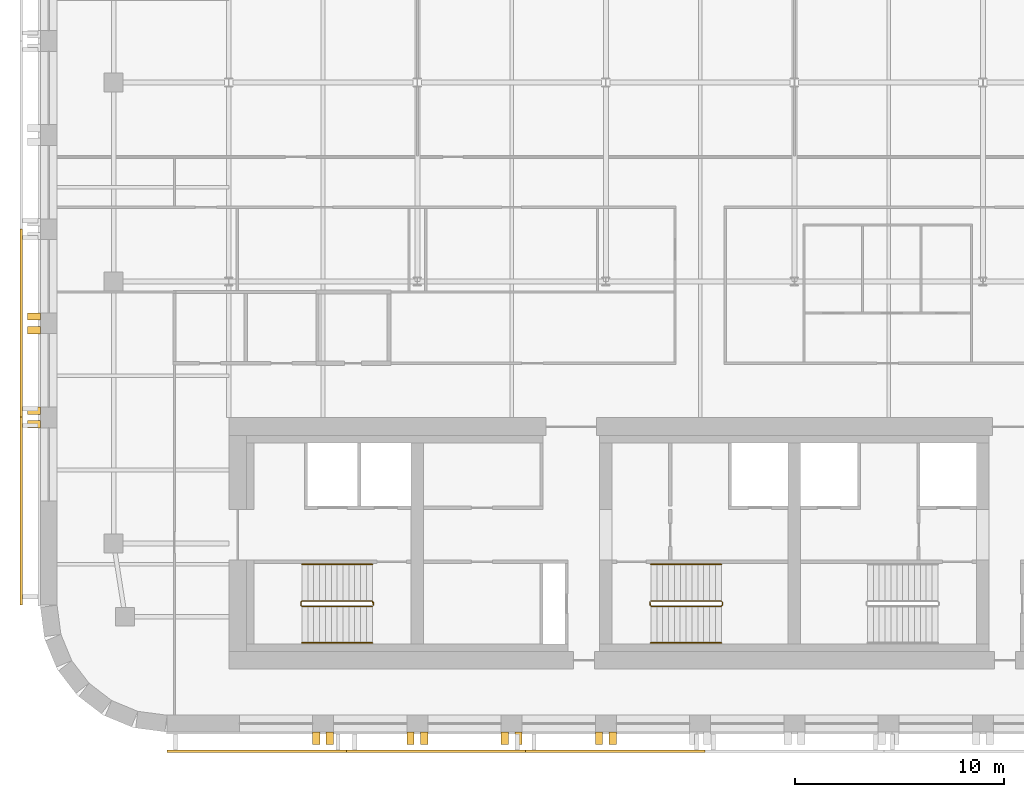
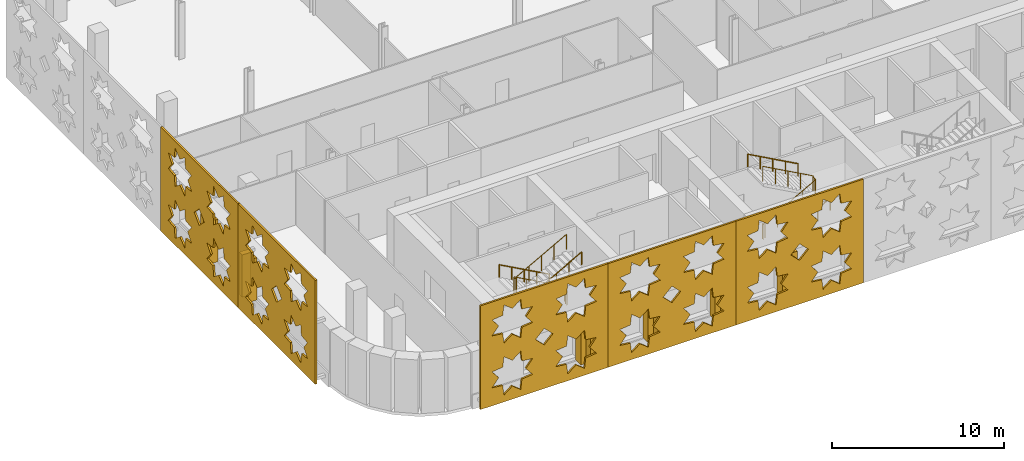
# One storey, part 9 of 12: 17 coverings, 6 railings.
"""IFC4 building model written with IfcOpenShell, lengths in metres."""

from ifc_helpers import new_model, si_unit, direction, frame, origin, origin_2d, place, context, subcontext, project, spatial, polyline, circle, outline, extrude, material, layer, layer_set, type_object, element, save


model = new_model("IFC4")

# Units and contexts
model_context = context("Model", 3, precision=1e-05, world=origin(), true_north=direction((0.0, 1.0)))
body_context = subcontext(model_context, "Body", "Model", "MODEL_VIEW")
ifc_project = project(units=[si_unit("LENGTHUNIT", "METRE"), si_unit("AREAUNIT", "SQUARE_METRE"), si_unit("VOLUMEUNIT", "CUBIC_METRE"), si_unit("PLANEANGLEUNIT", "RADIAN"), si_unit("MASSUNIT", "GRAM", prefix="KILO")], contexts=[model_context])

# Site, building, storey
site_placement = place(None, origin())
site = spatial("IfcSite", under=ifc_project, at=site_placement, CompositionType="ELEMENT")
building_placement = place(site_placement, origin())
building = spatial("IfcBuilding", under=site, at=building_placement, Name="Zellij Exchange Tower", CompositionType="ELEMENT")
storey_placement = place(building_placement, frame((0.0, 0.0, 196.5)))
storey = spatial("IfcBuildingStorey", under=building, at=storey_placement, Name="L45", CompositionType="ELEMENT", Elevation=196.5)

# Railings
ifc_material_1 = material(Name="Stainless steel", Category="steel")
railing_type_1 = type_object("IfcRailingType", Name="CORE-RG stair guard", PredefinedType="GUARDRAIL", material=ifc_material_1)
railing_1_placement = place(storey_placement, frame((-20.10009765625, -10.800048828125, 0.0)))
element("IfcRailing", 1, at=railing_1_placement, inside=storey, type_object=railing_type_1, Name="ST1 stair guard L45", PredefinedType="GUARDRAIL", context=body_context, shape_type="SweptSolid", body=[
    extrude(circle(Radius=0.02392578125, at=origin_2d()), frame((0.0, 0.0, 1.076171875), z_axis=(0.0, -1.0, 0.0), x_axis=(1.0, 0.0, 0.0)), (0.0, 0.0, 1.0), 0.14990234375),
    extrude(circle(Radius=0.02392578125, at=origin_2d()), frame((0.0, -0.14990234375, 1.076171875), z_axis=(-0.193691321961, 0.777613689637, 0.598164376644), x_axis=(-0.970351222016, -0.241699205484, 0.0)), (0.0, 0.0, 1.0), 0.257080078125),
    extrude(circle(Radius=0.02392578125, at=origin_2d()), frame((-0.0498046875, 0.050048828125, 1.22998046875), z_axis=(-0.876421534553, 0.0, 0.481544695509), x_axis=(0.0, -1.0, 0.0)), (0.0, 0.0, 1.0), 3.833984375),
    extrude(circle(Radius=0.02392578125, at=origin_2d()), frame((-3.409912109375, 0.050048828125, 3.076171875), z_axis=(-0.707106781187, -0.707106781187, 0.0), x_axis=(0.707106781187, -0.707106781187, 0.0)), (0.0, 0.0, 1.0), 0.07080078125),
    extrude(circle(Radius=0.02392578125, at=origin_2d()), frame((-3.4599609375, 0.0, 3.076171875), z_axis=(0.0, -1.0, 0.0), x_axis=(1.0, 0.0, 0.0)), (0.0, 0.0, 1.0), 0.14990234375),
    extrude(circle(Radius=0.02392578125, at=origin_2d()), frame((-3.4599609375, -0.14990234375, 3.076171875), z_axis=(0.295599637079, -0.295599637079, 0.908428152975), x_axis=(0.707106781187, 0.707106781187, 0.0)), (0.0, 0.0, 1.0), 0.16943359375),
    extrude(circle(Radius=0.02392578125, at=origin_2d()), frame((-3.409912109375, -0.199951171875, 3.22998046875), z_axis=(0.876421534553, 0.0, 0.481544695509), x_axis=(0.0, 1.0, 0.0)), (0.0, 0.0, 1.0), 3.833984375),
    extrude(circle(Radius=0.02099609375, at=origin_2d()), origin(), (0.0, 0.0, 1.0), 1.052001953125),
    extrude(circle(Radius=0.02099609375, at=origin_2d()), frame((0.0, -0.14990234375, 0.0)), (0.0, 0.0, 1.0), 1.052001953125),
    extrude(circle(Radius=0.02099609375, at=origin_2d()), frame((-0.0498046875, 0.050048828125, 0.15380859375)), (0.0, 0.0, 1.0), 1.052001953125),
    extrude(circle(Radius=0.02099609375, at=origin_2d()), frame((-0.889892578125, 0.050048828125, 0.615234375)), (0.0, 0.0, 1.0), 1.052001953125),
    extrude(circle(Radius=0.02099609375, at=origin_2d()), frame((-1.72998046875, 0.050048828125, 1.076904296875)), (0.0, 0.0, 1.0), 1.052001953125),
    extrude(circle(Radius=0.02099609375, at=origin_2d()), frame((-2.56982421875, 0.050048828125, 1.53857421875)), (0.0, 0.0, 1.0), 1.052001953125),
    extrude(circle(Radius=0.02099609375, at=origin_2d()), frame((-3.409912109375, 0.050048828125, 2.0)), (0.0, 0.0, 1.0), 1.052001953125),
    extrude(circle(Radius=0.02099609375, at=origin_2d()), frame((-3.4599609375, 0.0, 2.0)), (0.0, 0.0, 1.0), 1.052001953125),
    extrude(circle(Radius=0.02099609375, at=origin_2d()), frame((-3.4599609375, -0.14990234375, 2.0)), (0.0, 0.0, 1.0), 1.052001953125),
    extrude(circle(Radius=0.02099609375, at=origin_2d()), frame((-3.409912109375, -0.199951171875, 2.15380859375)), (0.0, 0.0, 1.0), 1.052001953125),
    extrude(circle(Radius=0.02099609375, at=origin_2d()), frame((-2.56982421875, -0.199951171875, 2.615234375)), (0.0, 0.0, 1.0), 1.052001953125),
    extrude(circle(Radius=0.02099609375, at=origin_2d()), frame((-1.72998046875, -0.199951171875, 3.076904296875)), (0.0, 0.0, 1.0), 1.052001953125),
    extrude(circle(Radius=0.02099609375, at=origin_2d()), frame((-0.889892578125, -0.199951171875, 3.53857421875)), (0.0, 0.0, 1.0), 1.052001953125),
    extrude(circle(Radius=0.02099609375, at=origin_2d()), frame((-0.0498046875, -0.199951171875, 4.0)), (0.0, 0.0, 1.0), 1.052001953125),
])
railing_2_placement = place(storey_placement, frame((-6.89990234375, -10.949951171875, 0.0)))
element("IfcRailing", 2, at=railing_2_placement, inside=storey, type_object=railing_type_1, Name="ST2 stair guard L45", PredefinedType="GUARDRAIL", context=body_context, shape_type="SweptSolid", body=[
    extrude(circle(Radius=0.02392578125, at=origin_2d()), frame((0.0, 0.0, 1.076171875), z_axis=(0.0, 1.0, 0.0), x_axis=(-1.0, 0.0, 0.0)), (0.0, 0.0, 1.0), 0.14990234375),
    extrude(circle(Radius=0.02392578125, at=origin_2d()), frame((0.0, 0.14990234375, 1.076171875), z_axis=(0.193691321961, -0.777613689637, 0.598164376644), x_axis=(0.970351222016, 0.241699205484, 0.0)), (0.0, 0.0, 1.0), 0.257080078125),
    extrude(circle(Radius=0.02392578125, at=origin_2d()), frame((0.0498046875, -0.050048828125, 1.22998046875), z_axis=(0.876421534553, 0.0, 0.481544695509), x_axis=(0.0, 1.0, 0.0)), (0.0, 0.0, 1.0), 3.833984375),
    extrude(circle(Radius=0.02392578125, at=origin_2d()), frame((3.409912109375, -0.050048828125, 3.076171875), z_axis=(0.707106781187, 0.707106781187, 0.0), x_axis=(-0.707106781187, 0.707106781187, 0.0)), (0.0, 0.0, 1.0), 0.07080078125),
    extrude(circle(Radius=0.02392578125, at=origin_2d()), frame((3.4599609375, 0.0, 3.076171875), z_axis=(0.0, 1.0, 0.0), x_axis=(-1.0, 0.0, 0.0)), (0.0, 0.0, 1.0), 0.14990234375),
    extrude(circle(Radius=0.02392578125, at=origin_2d()), frame((3.4599609375, 0.14990234375, 3.076171875), z_axis=(-0.295599637079, 0.295599637079, 0.908428152975), x_axis=(-0.707106781187, -0.707106781187, 0.0)), (0.0, 0.0, 1.0), 0.16943359375),
    extrude(circle(Radius=0.02392578125, at=origin_2d()), frame((3.409912109375, 0.199951171875, 3.22998046875), z_axis=(-0.876421534553, 0.0, 0.481544695509), x_axis=(0.0, -1.0, 0.0)), (0.0, 0.0, 1.0), 3.833984375),
    extrude(circle(Radius=0.02099609375, at=origin_2d()), origin(), (0.0, 0.0, 1.0), 1.052001953125),
    extrude(circle(Radius=0.02099609375, at=origin_2d()), frame((0.0, 0.14990234375, 0.0)), (0.0, 0.0, 1.0), 1.052001953125),
    extrude(circle(Radius=0.02099609375, at=origin_2d()), frame((0.0498046875, -0.050048828125, 0.15380859375)), (0.0, 0.0, 1.0), 1.052001953125),
    extrude(circle(Radius=0.02099609375, at=origin_2d()), frame((0.889892578125, -0.050048828125, 0.615234375)), (0.0, 0.0, 1.0), 1.052001953125),
    extrude(circle(Radius=0.02099609375, at=origin_2d()), frame((1.72998046875, -0.050048828125, 1.076904296875)), (0.0, 0.0, 1.0), 1.052001953125),
    extrude(circle(Radius=0.02099609375, at=origin_2d()), frame((2.56982421875, -0.050048828125, 1.53857421875)), (0.0, 0.0, 1.0), 1.052001953125),
    extrude(circle(Radius=0.02099609375, at=origin_2d()), frame((3.409912109375, -0.050048828125, 2.0)), (0.0, 0.0, 1.0), 1.052001953125),
    extrude(circle(Radius=0.02099609375, at=origin_2d()), frame((3.4599609375, 0.0, 2.0)), (0.0, 0.0, 1.0), 1.052001953125),
    extrude(circle(Radius=0.02099609375, at=origin_2d()), frame((3.4599609375, 0.14990234375, 2.0)), (0.0, 0.0, 1.0), 1.052001953125),
    extrude(circle(Radius=0.02099609375, at=origin_2d()), frame((3.409912109375, 0.199951171875, 2.15380859375)), (0.0, 0.0, 1.0), 1.052001953125),
    extrude(circle(Radius=0.02099609375, at=origin_2d()), frame((2.56982421875, 0.199951171875, 2.615234375)), (0.0, 0.0, 1.0), 1.052001953125),
    extrude(circle(Radius=0.02099609375, at=origin_2d()), frame((1.72998046875, 0.199951171875, 3.076904296875)), (0.0, 0.0, 1.0), 1.052001953125),
    extrude(circle(Radius=0.02099609375, at=origin_2d()), frame((0.889892578125, 0.199951171875, 3.53857421875)), (0.0, 0.0, 1.0), 1.052001953125),
    extrude(circle(Radius=0.02099609375, at=origin_2d()), frame((0.0498046875, 0.199951171875, 4.0)), (0.0, 0.0, 1.0), 1.052001953125),
])
railing_type_2 = type_object("IfcRailingType", Name="CORE-RH stair handrail", PredefinedType="HANDRAIL", material=ifc_material_1)
railing_3_placement = place(storey_placement, frame((-20.14990234375, -9.0, 0.15380859375)))
element("IfcRailing", 3, at=railing_3_placement, inside=storey, type_object=railing_type_2, Name="ST1 stair handrail L45", PredefinedType="HANDRAIL", context=body_context, shape_type="SweptSolid", body=[
    extrude(circle(Radius=0.02392578125, at=origin_2d()), frame((0.0, 0.0, 0.8759765625), z_axis=(-0.876421534553, 0.0, 0.481544695509), x_axis=(0.0, -1.0, 0.0)), (0.0, 0.0, 1.0), 3.833984375),
    extrude(circle(Radius=0.02099609375, at=origin_2d()), origin(), (0.0, 0.0, 1.0), 0.851806640625),
    extrude(circle(Radius=0.02099609375, at=origin_2d()), frame((-0.840087890625, 0.0, 0.46142578125)), (0.0, 0.0, 1.0), 0.851806640625),
    extrude(circle(Radius=0.02099609375, at=origin_2d()), frame((-1.68017578125, 0.0, 0.923095703125)), (0.0, 0.0, 1.0), 0.851806640625),
    extrude(circle(Radius=0.02099609375, at=origin_2d()), frame((-2.52001953125, 0.0, 1.384765625)), (0.0, 0.0, 1.0), 0.851806640625),
    extrude(circle(Radius=0.02099609375, at=origin_2d()), frame((-3.360107421875, 0.0, 1.84619140625)), (0.0, 0.0, 1.0), 0.851806640625),
])
for number, where, name in (
    (4, (-23.510009765625, -12.75, 2.15380859375), "ST1 stair handrail L45"),
    (5, (-6.85009765625, -12.75, 0.15380859375), "ST2 stair handrail L45"),
):
    element("IfcRailing", number, at=place(storey_placement, frame(where)), inside=storey, type_object=railing_type_2, Name=name, PredefinedType="HANDRAIL", context=body_context, shape_type="SweptSolid", body=[
        extrude(circle(Radius=0.02392578125, at=origin_2d()), frame((0.0, 0.0, 0.8759765625), z_axis=(0.876421534553, 0.0, 0.481544695509), x_axis=(0.0, 1.0, 0.0)), (0.0, 0.0, 1.0), 3.833984375),
        extrude(circle(Radius=0.02099609375, at=origin_2d()), origin(), (0.0, 0.0, 1.0), 0.851806640625),
        extrude(circle(Radius=0.02099609375, at=origin_2d()), frame((0.840087890625, 0.0, 0.46142578125)), (0.0, 0.0, 1.0), 0.851806640625),
        extrude(circle(Radius=0.02099609375, at=origin_2d()), frame((1.68017578125, 0.0, 0.923095703125)), (0.0, 0.0, 1.0), 0.851806640625),
        extrude(circle(Radius=0.02099609375, at=origin_2d()), frame((2.52001953125, 0.0, 1.384765625)), (0.0, 0.0, 1.0), 0.851806640625),
        extrude(circle(Radius=0.02099609375, at=origin_2d()), frame((3.360107421875, 0.0, 1.84619140625)), (0.0, 0.0, 1.0), 0.851806640625),
    ])
railing_4_placement = place(storey_placement, frame((-3.489990234375, -9.0, 2.15380859375)))
element("IfcRailing", 6, at=railing_4_placement, inside=storey, type_object=railing_type_2, Name="ST2 stair handrail L45", PredefinedType="HANDRAIL", context=body_context, shape_type="SweptSolid", body=[
    extrude(circle(Radius=0.02392578125, at=origin_2d()), frame((0.0, 0.0, 0.8759765625), z_axis=(-0.876421534553, 0.0, 0.481544695509), x_axis=(0.0, -1.0, 0.0)), (0.0, 0.0, 1.0), 3.833984375),
    extrude(circle(Radius=0.02099609375, at=origin_2d()), origin(), (0.0, 0.0, 1.0), 0.851806640625),
    extrude(circle(Radius=0.02099609375, at=origin_2d()), frame((-0.840087890625, 0.0, 0.46142578125)), (0.0, 0.0, 1.0), 0.851806640625),
    extrude(circle(Radius=0.02099609375, at=origin_2d()), frame((-1.68017578125, 0.0, 0.923095703125)), (0.0, 0.0, 1.0), 0.851806640625),
    extrude(circle(Radius=0.02099609375, at=origin_2d()), frame((-2.52001953125, 0.0, 1.384765625)), (0.0, 0.0, 1.0), 0.851806640625),
    extrude(circle(Radius=0.02099609375, at=origin_2d()), frame((-3.360107421875, 0.0, 1.84619140625)), (0.0, 0.0, 1.0), 0.851806640625),
])

# Coverings
ifc_material_2 = material(Name="Limestone cladding", Category="masonry")
covering_type_1 = type_object("IfcCoveringType", Name="ENV-CV3 Stone pier 350x600", PredefinedType="CLADDING", material=ifc_material_2)
covering_1_placement = place(storey_placement, frame((0.0, 0.0, 0.800048828125)))
element("IfcCovering", 7, at=covering_1_placement, inside=storey, type_object=covering_type_1, Name="Stone pier", PredefinedType="CLADDING", context=body_context, shape_type="SweptSolid", body=[
    extrude(outline(polyline([(-23.0, -17.0), (-22.64990234375, -17.0), (-22.64990234375, -17.60009765625), (-23.0, -17.60009765625), (-23.0, -17.0)])), origin(), (0.0, 0.0, 1.0), 3.0),
])
covering_2_placement = place(storey_placement, frame((0.0, 0.0, 0.800048828125)))
element("IfcCovering", 8, at=covering_2_placement, inside=storey, type_object=covering_type_1, Name="Stone pier", PredefinedType="CLADDING", context=body_context, shape_type="SweptSolid", body=[
    extrude(outline(polyline([(-22.35009765625, -17.0), (-22.0, -17.0), (-22.0, -17.60009765625), (-22.35009765625, -17.60009765625), (-22.35009765625, -17.0)])), origin(), (0.0, 0.0, 1.0), 3.0),
])
covering_3_placement = place(storey_placement, frame((0.0, 0.0, 0.800048828125)))
element("IfcCovering", 9, at=covering_3_placement, inside=storey, type_object=covering_type_1, Name="Stone pier", PredefinedType="CLADDING", context=body_context, shape_type="SweptSolid", body=[
    extrude(outline(polyline([(-18.5, -17.0), (-18.14990234375, -17.0), (-18.14990234375, -17.60009765625), (-18.5, -17.60009765625), (-18.5, -17.0)])), origin(), (0.0, 0.0, 1.0), 3.0),
])
covering_4_placement = place(storey_placement, frame((0.0, 0.0, 0.800048828125)))
element("IfcCovering", 10, at=covering_4_placement, inside=storey, type_object=covering_type_1, Name="Stone pier", PredefinedType="CLADDING", context=body_context, shape_type="SweptSolid", body=[
    extrude(outline(polyline([(-17.85009765625, -17.0), (-17.5, -17.0), (-17.5, -17.60009765625), (-17.85009765625, -17.60009765625), (-17.85009765625, -17.0)])), origin(), (0.0, 0.0, 1.0), 3.0),
])
covering_5_placement = place(storey_placement, frame((0.0, 0.0, 0.800048828125)))
element("IfcCovering", 11, at=covering_5_placement, inside=storey, type_object=covering_type_1, Name="Stone pier", PredefinedType="CLADDING", context=body_context, shape_type="SweptSolid", body=[
    extrude(outline(polyline([(-14.0, -17.0), (-13.64990234375, -17.0), (-13.64990234375, -17.60009765625), (-14.0, -17.60009765625), (-14.0, -17.0)])), origin(), (0.0, 0.0, 1.0), 3.0),
])
covering_6_placement = place(storey_placement, frame((0.0, 0.0, 0.800048828125)))
element("IfcCovering", 12, at=covering_6_placement, inside=storey, type_object=covering_type_1, Name="Stone pier", PredefinedType="CLADDING", context=body_context, shape_type="SweptSolid", body=[
    extrude(outline(polyline([(-13.35009765625, -17.0), (-13.0, -17.0), (-13.0, -17.60009765625), (-13.35009765625, -17.60009765625), (-13.35009765625, -17.0)])), origin(), (0.0, 0.0, 1.0), 3.0),
])
covering_7_placement = place(storey_placement, frame((0.0, 0.0, 0.800048828125)))
element("IfcCovering", 13, at=covering_7_placement, inside=storey, type_object=covering_type_1, Name="Stone pier", PredefinedType="CLADDING", context=body_context, shape_type="SweptSolid", body=[
    extrude(outline(polyline([(-9.5, -17.0), (-9.14990234375, -17.0), (-9.14990234375, -17.60009765625), (-9.5, -17.60009765625), (-9.5, -17.0)])), origin(), (0.0, 0.0, 1.0), 3.0),
])
covering_8_placement = place(storey_placement, frame((0.0, 0.0, 0.800048828125)))
element("IfcCovering", 14, at=covering_8_placement, inside=storey, type_object=covering_type_1, Name="Stone pier", PredefinedType="CLADDING", context=body_context, shape_type="SweptSolid", body=[
    extrude(outline(polyline([(-8.85009765625, -17.0), (-8.5, -17.0), (-8.5, -17.60009765625), (-8.85009765625, -17.60009765625), (-8.85009765625, -17.0)])), origin(), (0.0, 0.0, 1.0), 3.0),
])
covering_9_placement = place(storey_placement, frame((0.0, 0.0, 0.800048828125)))
element("IfcCovering", 15, at=covering_9_placement, inside=storey, type_object=covering_type_1, Name="Stone pier", PredefinedType="CLADDING", context=body_context, shape_type="SweptSolid", body=[
    extrude(outline(polyline([(-36.0, 3.006591796875), (-36.0, 2.656494140625), (-36.60009765625, 2.656494140625), (-36.60009765625, 3.006591796875), (-36.0, 3.006591796875)])), origin(), (0.0, 0.0, 1.0), 3.0),
])
covering_10_placement = place(storey_placement, frame((0.0, 0.0, 0.800048828125)))
element("IfcCovering", 16, at=covering_10_placement, inside=storey, type_object=covering_type_1, Name="Stone pier", PredefinedType="CLADDING", context=body_context, shape_type="SweptSolid", body=[
    extrude(outline(polyline([(-36.0, 2.356689453125), (-36.0, 2.006591796875), (-36.60009765625, 2.006591796875), (-36.60009765625, 2.356689453125), (-36.0, 2.356689453125)])), origin(), (0.0, 0.0, 1.0), 3.0),
])
covering_11_placement = place(storey_placement, frame((0.0, 0.0, 0.800048828125)))
element("IfcCovering", 17, at=covering_11_placement, inside=storey, type_object=covering_type_1, Name="Stone pier", PredefinedType="CLADDING", context=body_context, shape_type="SweptSolid", body=[
    extrude(outline(polyline([(-36.0, -1.48681640625), (-36.0, -1.8369140625), (-36.60009765625, -1.8369140625), (-36.60009765625, -1.48681640625), (-36.0, -1.48681640625)])), origin(), (0.0, 0.0, 1.0), 3.0),
])
covering_12_placement = place(storey_placement, frame((0.0, 0.0, 0.800048828125)))
element("IfcCovering", 18, at=covering_12_placement, inside=storey, type_object=covering_type_1, Name="Stone pier", PredefinedType="CLADDING", context=body_context, shape_type="SweptSolid", body=[
    extrude(outline(polyline([(-36.0, -2.136962890625), (-36.0, -2.48681640625), (-36.60009765625, -2.48681640625), (-36.60009765625, -2.136962890625), (-36.0, -2.136962890625)])), origin(), (0.0, 0.0, 1.0), 3.0),
])
ifc_material_3 = material(Name="Limestone screen", Category="masonry")
ifc_layer = layer(ifc_material_3, 0.1201171875)
ifc_layer_set = layer_set([ifc_layer], Name="Limestone screen")
covering_type_2 = type_object("IfcCoveringType", Name="ENV-SC1 Pierced stone screen 120", PredefinedType="USERDEFINED", material=ifc_layer_set)
covering_13_placement = place(storey_placement, frame((-36.909912109375, 7.0, 0.300048828125), z_axis=(0.0, 0.0, 1.0), x_axis=(0.0, -1.0, 0.0)))
element("IfcCovering", 19, at=covering_13_placement, inside=storey, type_object=covering_type_2, Name="Pierced stone screen", ObjectType="SCREEN", PredefinedType="USERDEFINED", context=body_context, shape_type="SweptSolid", body=[
    extrude(outline(polyline([(0.0, 0.0), (8.973876953125, 0.0), (8.973876953125, 7.35009765625), (0.0, 7.35009765625), (0.0, 0.0)]), holes=[polyline([(3.6015625, 2.39990234375), (2.887939453125, 2.48193359375), (2.805908203125, 3.195556640625), (2.243408203125, 2.748779296875), (1.680908203125, 3.195556640625), (1.59912109375, 2.48193359375), (0.88525390625, 2.39990234375), (1.33203125, 1.83740234375), (0.88525390625, 1.27490234375), (1.59912109375, 1.193115234375), (1.680908203125, 0.4794921875), (2.243408203125, 0.926025390625), (2.805908203125, 0.4794921875), (2.887939453125, 1.193115234375), (3.6015625, 1.27490234375), (3.15478515625, 1.83740234375), (3.6015625, 2.39990234375)]), polyline([(3.6015625, 6.074951171875), (2.887939453125, 6.156982421875), (2.805908203125, 6.87060546875), (2.243408203125, 6.423828125), (1.680908203125, 6.87060546875), (1.59912109375, 6.156982421875), (0.88525390625, 6.074951171875), (1.33203125, 5.512451171875), (0.88525390625, 4.949951171875), (1.59912109375, 4.867919921875), (1.680908203125, 4.154296875), (2.243408203125, 4.60107421875), (2.805908203125, 4.154296875), (2.887939453125, 4.867919921875), (3.6015625, 4.949951171875), (3.15478515625, 5.512451171875), (3.6015625, 6.074951171875)]), polyline([(8.08837890625, 2.39990234375), (7.374755859375, 2.48193359375), (7.29296875, 3.195556640625), (6.730224609375, 2.748779296875), (6.167724609375, 3.195556640625), (6.0859375, 2.48193359375), (5.372314453125, 2.39990234375), (5.81884765625, 1.83740234375), (5.372314453125, 1.27490234375), (6.0859375, 1.193115234375), (6.167724609375, 0.4794921875), (6.730224609375, 0.926025390625), (7.29296875, 0.4794921875), (7.374755859375, 1.193115234375), (8.08837890625, 1.27490234375), (7.6416015625, 1.83740234375), (8.08837890625, 2.39990234375)]), polyline([(8.08837890625, 6.074951171875), (7.374755859375, 6.156982421875), (7.29296875, 6.87060546875), (6.730224609375, 6.423828125), (6.167724609375, 6.87060546875), (6.0859375, 6.156982421875), (5.372314453125, 6.074951171875), (5.81884765625, 5.512451171875), (5.372314453125, 4.949951171875), (6.0859375, 4.867919921875), (6.167724609375, 4.154296875), (6.730224609375, 4.60107421875), (7.29296875, 4.154296875), (7.374755859375, 4.867919921875), (8.08837890625, 4.949951171875), (7.6416015625, 5.512451171875), (8.08837890625, 6.074951171875)]), polyline([(5.074951171875, 3.675048828125), (4.48681640625, 4.262939453125), (3.89892578125, 3.675048828125), (4.48681640625, 3.0869140625), (5.074951171875, 3.675048828125)])]), frame((0.0, 0.06005859375, 0.0), z_axis=(0.0, -1.0, 0.0), x_axis=(1.0, 0.0, 0.0)), (0.0, 0.0, 1.0), 0.1201171875),
])
covering_14_placement = place(storey_placement, frame((-36.909912109375, -1.973876953125, 0.300048828125), z_axis=(0.0, 0.0, 1.0), x_axis=(0.0, -1.0, 0.0)))
element("IfcCovering", 20, at=covering_14_placement, inside=storey, type_object=covering_type_2, Name="Pierced stone screen", ObjectType="SCREEN", PredefinedType="USERDEFINED", context=body_context, shape_type="SweptSolid", body=[
    extrude(outline(polyline([(0.0, 0.0), (8.973876953125, 0.0), (8.973876953125, 7.35009765625), (0.0, 7.35009765625), (0.0, 0.0)]), holes=[polyline([(3.6015625, 2.39990234375), (2.887939453125, 2.48193359375), (2.805908203125, 3.195556640625), (2.243408203125, 2.748779296875), (1.680908203125, 3.195556640625), (1.59912109375, 2.48193359375), (0.88525390625, 2.39990234375), (1.33203125, 1.83740234375), (0.88525390625, 1.27490234375), (1.59912109375, 1.193115234375), (1.680908203125, 0.4794921875), (2.243408203125, 0.926025390625), (2.805908203125, 0.4794921875), (2.887939453125, 1.193115234375), (3.6015625, 1.27490234375), (3.15478515625, 1.83740234375), (3.6015625, 2.39990234375)]), polyline([(3.6015625, 6.074951171875), (2.887939453125, 6.156982421875), (2.805908203125, 6.87060546875), (2.243408203125, 6.423828125), (1.680908203125, 6.87060546875), (1.59912109375, 6.156982421875), (0.88525390625, 6.074951171875), (1.33203125, 5.512451171875), (0.88525390625, 4.949951171875), (1.59912109375, 4.867919921875), (1.680908203125, 4.154296875), (2.243408203125, 4.60107421875), (2.805908203125, 4.154296875), (2.887939453125, 4.867919921875), (3.6015625, 4.949951171875), (3.15478515625, 5.512451171875), (3.6015625, 6.074951171875)]), polyline([(8.08837890625, 2.39990234375), (7.374755859375, 2.48193359375), (7.29296875, 3.195556640625), (6.730224609375, 2.748779296875), (6.167724609375, 3.195556640625), (6.0859375, 2.48193359375), (5.372314453125, 2.39990234375), (5.81884765625, 1.83740234375), (5.372314453125, 1.27490234375), (6.0859375, 1.193115234375), (6.167724609375, 0.4794921875), (6.730224609375, 0.926025390625), (7.29296875, 0.4794921875), (7.374755859375, 1.193115234375), (8.08837890625, 1.27490234375), (7.6416015625, 1.83740234375), (8.08837890625, 2.39990234375)]), polyline([(8.08837890625, 6.074951171875), (7.374755859375, 6.156982421875), (7.29296875, 6.87060546875), (6.730224609375, 6.423828125), (6.167724609375, 6.87060546875), (6.0859375, 6.156982421875), (5.372314453125, 6.074951171875), (5.81884765625, 5.512451171875), (5.372314453125, 4.949951171875), (6.0859375, 4.867919921875), (6.167724609375, 4.154296875), (6.730224609375, 4.60107421875), (7.29296875, 4.154296875), (7.374755859375, 4.867919921875), (8.08837890625, 4.949951171875), (7.6416015625, 5.512451171875), (8.08837890625, 6.074951171875)]), polyline([(5.074951171875, 3.675048828125), (4.48681640625, 4.262939453125), (3.89892578125, 3.675048828125), (4.48681640625, 3.0869140625), (5.074951171875, 3.675048828125)])]), frame((0.0, 0.06005859375, 0.0), z_axis=(0.0, -1.0, 0.0), x_axis=(1.0, 0.0, 0.0)), (0.0, 0.0, 1.0), 0.1201171875),
])
covering_15_placement = place(storey_placement, frame((-29.947509765625, -17.909912109375, 0.300048828125), z_axis=(0.0, 0.0, 1.0), x_axis=(1.0, 0.0, 0.0)))
element("IfcCovering", 21, at=covering_15_placement, inside=storey, type_object=covering_type_2, Name="Pierced stone screen", ObjectType="SCREEN", PredefinedType="USERDEFINED", context=body_context, shape_type="SweptSolid", body=[
    extrude(outline(polyline([(0.0, 0.0), (8.556396484375, 0.0), (8.556396484375, 7.35009765625), (0.0, 7.35009765625), (0.0, 0.0)]), holes=[polyline([(3.497314453125, 2.39990234375), (2.78369140625, 2.48193359375), (2.70166015625, 3.195556640625), (2.13916015625, 2.748779296875), (1.57666015625, 3.195556640625), (1.49462890625, 2.48193359375), (0.781005859375, 2.39990234375), (1.227783203125, 1.83740234375), (0.781005859375, 1.27490234375), (1.49462890625, 1.193115234375), (1.57666015625, 0.4794921875), (2.13916015625, 0.926025390625), (2.70166015625, 0.4794921875), (2.78369140625, 1.193115234375), (3.497314453125, 1.27490234375), (3.050537109375, 1.83740234375), (3.497314453125, 2.39990234375)]), polyline([(3.497314453125, 6.074951171875), (2.78369140625, 6.156982421875), (2.70166015625, 6.87060546875), (2.13916015625, 6.423828125), (1.57666015625, 6.87060546875), (1.49462890625, 6.156982421875), (0.781005859375, 6.074951171875), (1.227783203125, 5.512451171875), (0.781005859375, 4.949951171875), (1.49462890625, 4.867919921875), (1.57666015625, 4.154296875), (2.13916015625, 4.60107421875), (2.70166015625, 4.154296875), (2.78369140625, 4.867919921875), (3.497314453125, 4.949951171875), (3.050537109375, 5.512451171875), (3.497314453125, 6.074951171875)]), polyline([(7.775390625, 2.39990234375), (7.061767578125, 2.48193359375), (6.97998046875, 3.195556640625), (6.417236328125, 2.748779296875), (5.854736328125, 3.195556640625), (5.77294921875, 2.48193359375), (5.05908203125, 2.39990234375), (5.505859375, 1.83740234375), (5.05908203125, 1.27490234375), (5.77294921875, 1.193115234375), (5.854736328125, 0.4794921875), (6.417236328125, 0.926025390625), (6.97998046875, 0.4794921875), (7.061767578125, 1.193115234375), (7.775390625, 1.27490234375), (7.32861328125, 1.83740234375), (7.775390625, 2.39990234375)]), polyline([(7.775390625, 6.074951171875), (7.061767578125, 6.156982421875), (6.97998046875, 6.87060546875), (6.417236328125, 6.423828125), (5.854736328125, 6.87060546875), (5.77294921875, 6.156982421875), (5.05908203125, 6.074951171875), (5.505859375, 5.512451171875), (5.05908203125, 4.949951171875), (5.77294921875, 4.867919921875), (5.854736328125, 4.154296875), (6.417236328125, 4.60107421875), (6.97998046875, 4.154296875), (7.061767578125, 4.867919921875), (7.775390625, 4.949951171875), (7.32861328125, 5.512451171875), (7.775390625, 6.074951171875)]), polyline([(4.8662109375, 3.675048828125), (4.2783203125, 4.262939453125), (3.690185546875, 3.675048828125), (4.2783203125, 3.0869140625), (4.8662109375, 3.675048828125)])]), frame((0.0, 0.06005859375, 0.0), z_axis=(0.0, -1.0, 0.0), x_axis=(1.0, 0.0, 0.0)), (0.0, 0.0, 1.0), 0.1201171875),
])
covering_16_placement = place(storey_placement, frame((-21.39111328125, -17.909912109375, 0.300048828125), z_axis=(0.0, 0.0, 1.0), x_axis=(1.0, 0.0, 0.0)))
element("IfcCovering", 22, at=covering_16_placement, inside=storey, type_object=covering_type_2, Name="Pierced stone screen", ObjectType="SCREEN", PredefinedType="USERDEFINED", context=body_context, shape_type="SweptSolid", body=[
    extrude(outline(polyline([(0.0, 0.0), (8.556396484375, 0.0), (8.556396484375, 7.35009765625), (0.0, 7.35009765625), (0.0, 0.0)]), holes=[polyline([(3.497314453125, 2.39990234375), (2.78369140625, 2.48193359375), (2.70166015625, 3.195556640625), (2.13916015625, 2.748779296875), (1.57666015625, 3.195556640625), (1.49462890625, 2.48193359375), (0.781005859375, 2.39990234375), (1.227783203125, 1.83740234375), (0.781005859375, 1.27490234375), (1.49462890625, 1.193115234375), (1.57666015625, 0.4794921875), (2.13916015625, 0.926025390625), (2.70166015625, 0.4794921875), (2.78369140625, 1.193115234375), (3.497314453125, 1.27490234375), (3.050537109375, 1.83740234375), (3.497314453125, 2.39990234375)]), polyline([(3.497314453125, 6.074951171875), (2.78369140625, 6.156982421875), (2.70166015625, 6.87060546875), (2.13916015625, 6.423828125), (1.57666015625, 6.87060546875), (1.49462890625, 6.156982421875), (0.781005859375, 6.074951171875), (1.227783203125, 5.512451171875), (0.781005859375, 4.949951171875), (1.49462890625, 4.867919921875), (1.57666015625, 4.154296875), (2.13916015625, 4.60107421875), (2.70166015625, 4.154296875), (2.78369140625, 4.867919921875), (3.497314453125, 4.949951171875), (3.050537109375, 5.512451171875), (3.497314453125, 6.074951171875)]), polyline([(7.775390625, 2.39990234375), (7.061767578125, 2.48193359375), (6.97998046875, 3.195556640625), (6.417236328125, 2.748779296875), (5.854736328125, 3.195556640625), (5.77294921875, 2.48193359375), (5.05908203125, 2.39990234375), (5.505859375, 1.83740234375), (5.05908203125, 1.27490234375), (5.77294921875, 1.193115234375), (5.854736328125, 0.4794921875), (6.417236328125, 0.926025390625), (6.97998046875, 0.4794921875), (7.061767578125, 1.193115234375), (7.775390625, 1.27490234375), (7.32861328125, 1.83740234375), (7.775390625, 2.39990234375)]), polyline([(7.775390625, 6.074951171875), (7.061767578125, 6.156982421875), (6.97998046875, 6.87060546875), (6.417236328125, 6.423828125), (5.854736328125, 6.87060546875), (5.77294921875, 6.156982421875), (5.05908203125, 6.074951171875), (5.505859375, 5.512451171875), (5.05908203125, 4.949951171875), (5.77294921875, 4.867919921875), (5.854736328125, 4.154296875), (6.417236328125, 4.60107421875), (6.97998046875, 4.154296875), (7.061767578125, 4.867919921875), (7.775390625, 4.949951171875), (7.32861328125, 5.512451171875), (7.775390625, 6.074951171875)]), polyline([(4.8662109375, 3.675048828125), (4.2783203125, 4.262939453125), (3.690185546875, 3.675048828125), (4.2783203125, 3.0869140625), (4.8662109375, 3.675048828125)])]), frame((0.0, 0.06005859375, 0.0), z_axis=(0.0, -1.0, 0.0), x_axis=(1.0, 0.0, 0.0)), (0.0, 0.0, 1.0), 0.1201171875),
])
covering_17_placement = place(storey_placement, frame((-12.834716796875, -17.909912109375, 0.300048828125), z_axis=(0.0, 0.0, 1.0), x_axis=(1.0, 0.0, 0.0)))
element("IfcCovering", 23, at=covering_17_placement, inside=storey, type_object=covering_type_2, Name="Pierced stone screen", ObjectType="SCREEN", PredefinedType="USERDEFINED", context=body_context, shape_type="SweptSolid", body=[
    extrude(outline(polyline([(0.0, 0.0), (8.556396484375, 0.0), (8.556396484375, 7.35009765625), (0.0, 7.35009765625), (0.0, 0.0)]), holes=[polyline([(3.497314453125, 2.39990234375), (2.78369140625, 2.48193359375), (2.70166015625, 3.195556640625), (2.13916015625, 2.748779296875), (1.57666015625, 3.195556640625), (1.49462890625, 2.48193359375), (0.781005859375, 2.39990234375), (1.227783203125, 1.83740234375), (0.781005859375, 1.27490234375), (1.49462890625, 1.193115234375), (1.57666015625, 0.4794921875), (2.13916015625, 0.926025390625), (2.70166015625, 0.4794921875), (2.78369140625, 1.193115234375), (3.497314453125, 1.27490234375), (3.050537109375, 1.83740234375), (3.497314453125, 2.39990234375)]), polyline([(3.497314453125, 6.074951171875), (2.78369140625, 6.156982421875), (2.70166015625, 6.87060546875), (2.13916015625, 6.423828125), (1.57666015625, 6.87060546875), (1.49462890625, 6.156982421875), (0.781005859375, 6.074951171875), (1.227783203125, 5.512451171875), (0.781005859375, 4.949951171875), (1.49462890625, 4.867919921875), (1.57666015625, 4.154296875), (2.13916015625, 4.60107421875), (2.70166015625, 4.154296875), (2.78369140625, 4.867919921875), (3.497314453125, 4.949951171875), (3.050537109375, 5.512451171875), (3.497314453125, 6.074951171875)]), polyline([(7.775390625, 2.39990234375), (7.061767578125, 2.48193359375), (6.97998046875, 3.195556640625), (6.417236328125, 2.748779296875), (5.854736328125, 3.195556640625), (5.77294921875, 2.48193359375), (5.05908203125, 2.39990234375), (5.505859375, 1.83740234375), (5.05908203125, 1.27490234375), (5.77294921875, 1.193115234375), (5.854736328125, 0.4794921875), (6.417236328125, 0.926025390625), (6.97998046875, 0.4794921875), (7.061767578125, 1.193115234375), (7.775390625, 1.27490234375), (7.32861328125, 1.83740234375), (7.775390625, 2.39990234375)]), polyline([(7.775390625, 6.074951171875), (7.061767578125, 6.156982421875), (6.97998046875, 6.87060546875), (6.417236328125, 6.423828125), (5.854736328125, 6.87060546875), (5.77294921875, 6.156982421875), (5.05908203125, 6.074951171875), (5.505859375, 5.512451171875), (5.05908203125, 4.949951171875), (5.77294921875, 4.867919921875), (5.854736328125, 4.154296875), (6.417236328125, 4.60107421875), (6.97998046875, 4.154296875), (7.061767578125, 4.867919921875), (7.775390625, 4.949951171875), (7.32861328125, 5.512451171875), (7.775390625, 6.074951171875)]), polyline([(4.8662109375, 3.675048828125), (4.2783203125, 4.262939453125), (3.690185546875, 3.675048828125), (4.2783203125, 3.0869140625), (4.8662109375, 3.675048828125)])]), frame((0.0, 0.06005859375, 0.0), z_axis=(0.0, -1.0, 0.0), x_axis=(1.0, 0.0, 0.0)), (0.0, 0.0, 1.0), 0.1201171875),
])

save(model, "model.ifc")
